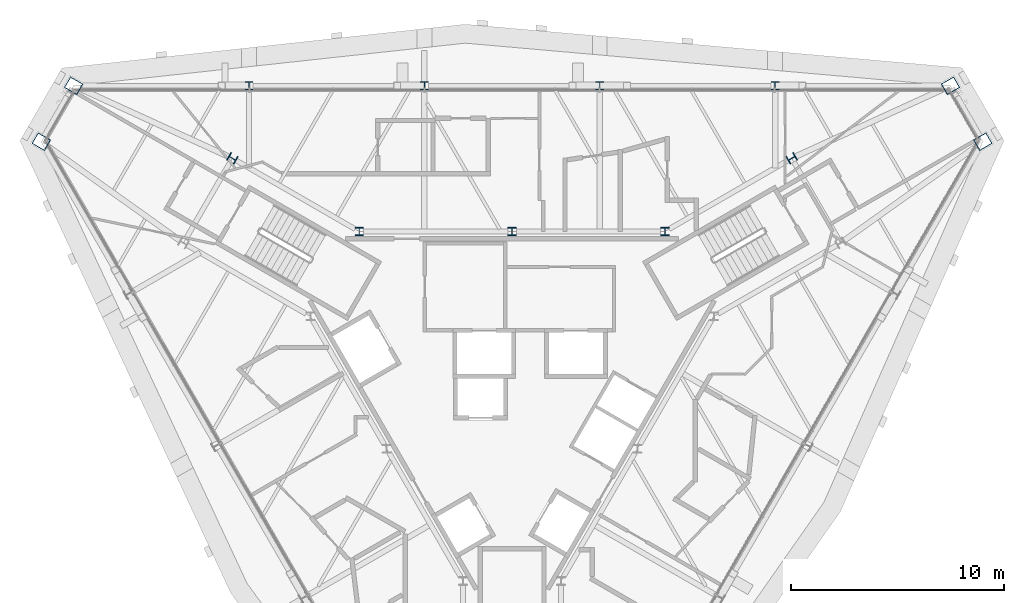
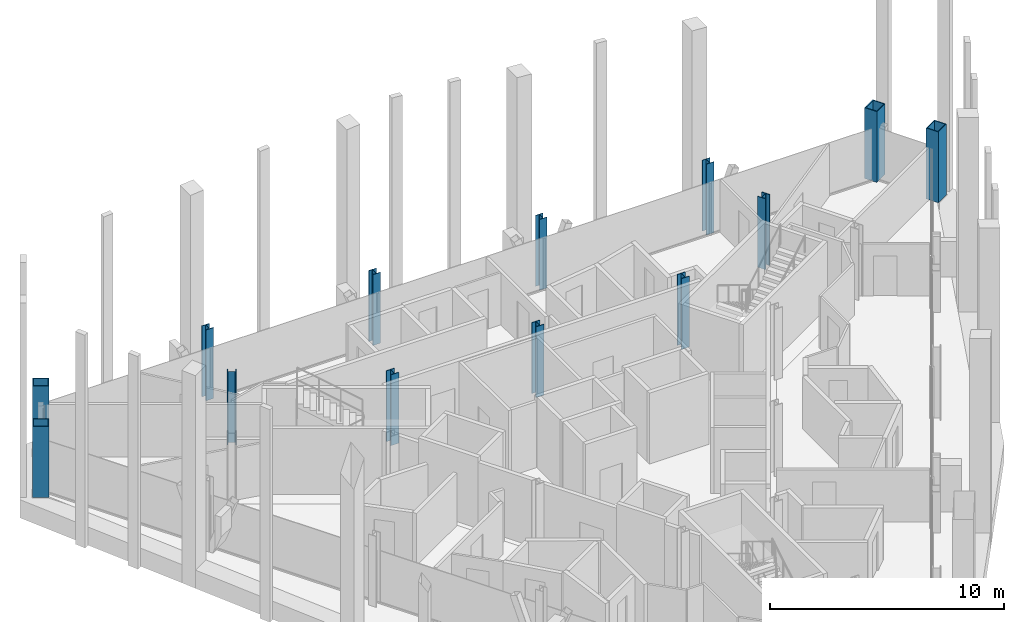
# One storey, part 2 of 13: 13 columns.
"""IFC4 building model written with IfcOpenShell, lengths in metres."""

from ifc_helpers import new_model, si_unit, direction, frame, origin, origin_2d, place, context, subcontext, project, spatial, hollow_rectangle, i_section, extrude, material, material_profile, profile_set, type_object, element, save


model = new_model("IFC4")

# Units and contexts
model_context = context("Model", 3, precision=1e-05, world=origin(), true_north=direction((0.0, 1.0)))
body_context = subcontext(model_context, "Body", "Model", "MODEL_VIEW")
ifc_project = project(units=[si_unit("LENGTHUNIT", "METRE"), si_unit("AREAUNIT", "SQUARE_METRE"), si_unit("VOLUMEUNIT", "CUBIC_METRE"), si_unit("PLANEANGLEUNIT", "RADIAN"), si_unit("MASSUNIT", "GRAM", prefix="KILO")], contexts=[model_context])

# Site, building, storey
site_placement = place(None, origin())
site = spatial("IfcSite", under=ifc_project, at=site_placement, CompositionType="ELEMENT")
building_placement = place(site_placement, origin())
building = spatial("IfcBuilding", under=site, at=building_placement, Name="Verrane Prism Tower", CompositionType="ELEMENT")
storey_placement = place(building_placement, frame((0.0, 0.0, 286.199951171875)))
storey = spatial("IfcBuildingStorey", under=building, at=storey_placement, Name="L72", CompositionType="ELEMENT", Elevation=286.199951171875)

# Columns
ifc_material_1 = material(Name="Steel A992", Category="steel")
ifc_material_profile_1 = material_profile(ifc_material_1, i_section(OverallWidth=0.4013671875, OverallDepth=0.398681640625, WebThickness=0.02490234375, FlangeThickness=0.03955078125, FilletRadius=0.01513671875, at=origin_2d()), Name="W14x211")
ifc_profile_set_1 = profile_set([ifc_material_profile_1], Name="Steel A992")
column_type_1 = type_object("IfcColumnType", Name="Core corner column W14x211", PredefinedType="COLUMN", material=ifc_profile_set_1)
for number, where, z_axis, x_axis, name in (
    (1, (13.139892578125, 10.239990234375, 0.0), (0.0, 0.0, 1.0), (0.5, -0.866025403784, 0.0), "Core corner column CK-NEp L72"),
    (2, (-13.139892578125, 10.239990234375, 0.0), (0.0, 0.0, 1.0), (0.5, 0.866025403784, 0.0), "Core corner column CK-NWm L72"),
):
    element("IfcColumn", number, at=place(storey_placement, frame(where, z_axis=z_axis, x_axis=x_axis)), inside=storey, type_object=column_type_1, Name=name, PredefinedType="COLUMN", context=body_context, shape_type="SweptSolid", body=[
        extrude(i_section(OverallWidth=0.4013671875, OverallDepth=0.398681640625, WebThickness=0.02490234375, FlangeThickness=0.03955078125, FilletRadius=0.01513671875, at=origin_2d()), origin(), (0.0, 0.0, 1.0), 3.699951171875),
    ])
ifc_material_2 = material(Name="Steel A992", Category="steel")
ifc_material_profile_2 = material_profile(ifc_material_2, i_section(OverallWidth=0.398681640625, OverallDepth=0.385986328125, WebThickness=0.02099609375, FlangeThickness=0.033203125, FilletRadius=0.01513671875, at=origin_2d()), Name="W14x176")
ifc_profile_set_2 = profile_set([ifc_material_profile_2], Name="Steel A992")
column_type_2 = type_object("IfcColumnType", Name="Core side column W14x176", PredefinedType="COLUMN", material=ifc_profile_set_2)
for number, where, z_axis, x_axis, name in (
    (3, (7.179931640625, 6.800048828125, 0.0), (0.0, 0.0, 1.0), (1.0, 0.0, 0.0), "Core side column CC-NEp L72"),
    (4, (0.0, 6.800048828125, 0.0), (0.0, 0.0, 1.0), (1.0, 0.0, 0.0), "Core side column CC-N0 L72"),
    (5, (-7.179931640625, 6.800048828125, 0.0), (0.0, 0.0, 1.0), (1.0, 0.0, 0.0), "Core side column CC-NWm L72"),
):
    element("IfcColumn", number, at=place(storey_placement, frame(where, z_axis=z_axis, x_axis=x_axis)), inside=storey, type_object=column_type_2, Name=name, PredefinedType="COLUMN", context=body_context, shape_type="SweptSolid", body=[
        extrude(i_section(OverallWidth=0.398681640625, OverallDepth=0.385986328125, WebThickness=0.02099609375, FlangeThickness=0.033203125, FilletRadius=0.01513671875, at=origin_2d()), origin(), (0.0, 0.0, 1.0), 3.699951171875),
    ])
ifc_material_3 = material(Name="Steel A572 Grade 50", Category="steel")
ifc_material_profile_3 = material_profile(ifc_material_3, hollow_rectangle(XDim=0.60009765625, YDim=0.699951171875, WallThickness=0.0400390625, at=origin_2d()), Name="BOX 700x600x40")
ifc_profile_set_3 = profile_set([ifc_material_profile_3], Name="Steel A572 Grade 50")
column_type_3 = type_object("IfcColumnType", Name="Megacolumn BOX 700x600x40", PredefinedType="COLUMN", material=ifc_profile_set_3)
for number, where, z_axis, x_axis, name in (
    (6, (20.60009765625, 13.64990234375, 0.0), (0.0, 0.0, 1.0), (0.5, -0.866025403784, 0.0), "Megacolumn MC-NE.b L72"),
    (7, (-20.60009765625, 13.64990234375, 0.0), (0.0, 0.0, 1.0), (0.5, 0.866025403784, 0.0), "Megacolumn MC-NW.a L72"),
    (8, (-22.1201171875, 11.02001953125, 0.0), (0.0, 0.0, 1.0), (0.5, 0.866025403784, 0.0), "Megacolumn MC-NW.b L72"),
    (9, (22.1201171875, 11.02001953125, 0.0), (0.0, 0.0, 1.0), (0.5, -0.866025403784, 0.0), "Megacolumn MC-NE.a L72"),
):
    element("IfcColumn", number, at=place(storey_placement, frame(where, z_axis=z_axis, x_axis=x_axis)), inside=storey, type_object=column_type_3, Name=name, PredefinedType="COLUMN", context=body_context, shape_type="SweptSolid", body=[
        extrude(hollow_rectangle(XDim=0.60009765625, YDim=0.699951171875, WallThickness=0.0400390625, at=origin_2d()), origin(), (0.0, 0.0, 1.0), 3.699951171875),
    ])
ifc_material_4 = material(Name="Steel A992", Category="steel")
ifc_material_profile_4 = material_profile(ifc_material_4, i_section(OverallWidth=0.373291015625, OverallDepth=0.368408203125, WebThickness=0.014892578125, FlangeThickness=0.02392578125, FilletRadius=0.01513671875, at=origin_2d()), Name="W14x120")
ifc_profile_set_4 = profile_set([ifc_material_profile_4], Name="Steel A992")
column_type_4 = type_object("IfcColumnType", Name="Perimeter column W14x120", PredefinedType="COLUMN", material=ifc_profile_set_4)
for number, where, z_axis, x_axis, name in (
    (10, (12.360107421875, 13.64990234375, 0.0), (0.0, 0.0, 1.0), (1.0, 0.0, 0.0), "Perimeter column PC-N1 L72"),
    (11, (4.1201171875, 13.64990234375, 0.0), (0.0, 0.0, 1.0), (1.0, 0.0, 0.0), "Perimeter column PC-N2 L72"),
    (12, (-4.1201171875, 13.64990234375, 0.0), (0.0, 0.0, 1.0), (1.0, 0.0, 0.0), "Perimeter column PC-N3 L72"),
    (13, (-12.360107421875, 13.64990234375, 0.0), (0.0, 0.0, 1.0), (1.0, 0.0, 0.0), "Perimeter column PC-N4 L72"),
):
    element("IfcColumn", number, at=place(storey_placement, frame(where, z_axis=z_axis, x_axis=x_axis)), inside=storey, type_object=column_type_4, Name=name, PredefinedType="COLUMN", context=body_context, shape_type="SweptSolid", body=[
        extrude(i_section(OverallWidth=0.373291015625, OverallDepth=0.368408203125, WebThickness=0.014892578125, FlangeThickness=0.02392578125, FilletRadius=0.01513671875, at=origin_2d()), origin(), (0.0, 0.0, 1.0), 3.699951171875),
    ])

save(model, "model.ifc")
